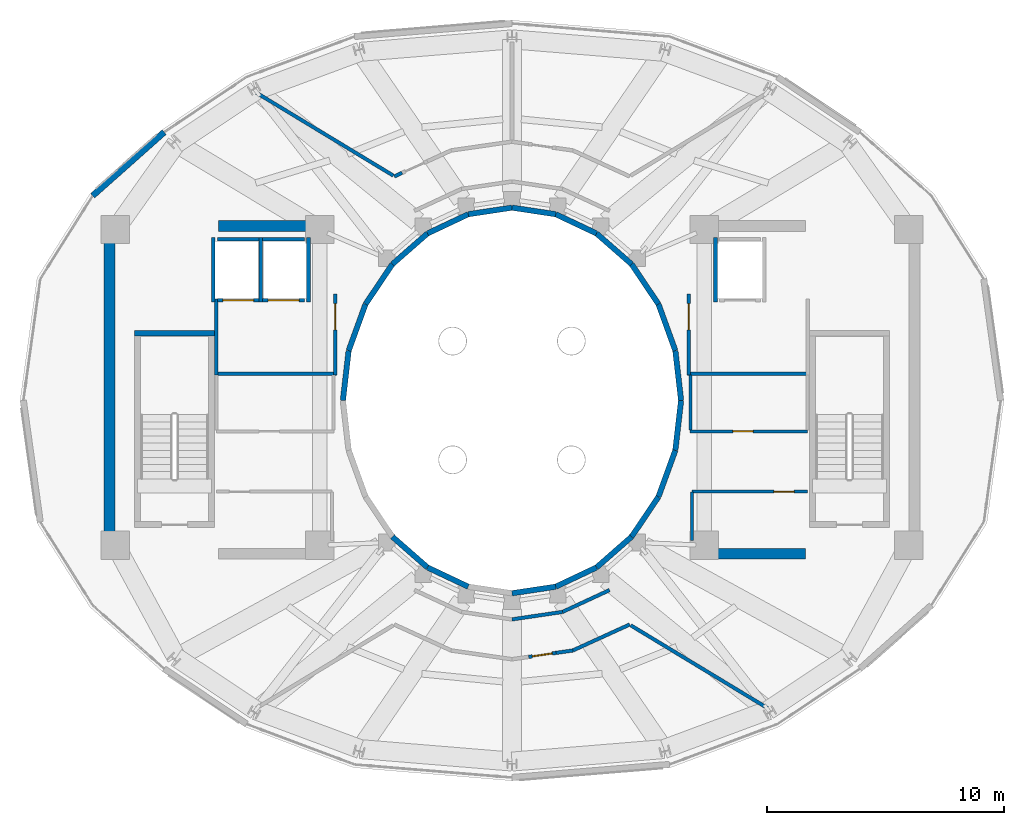
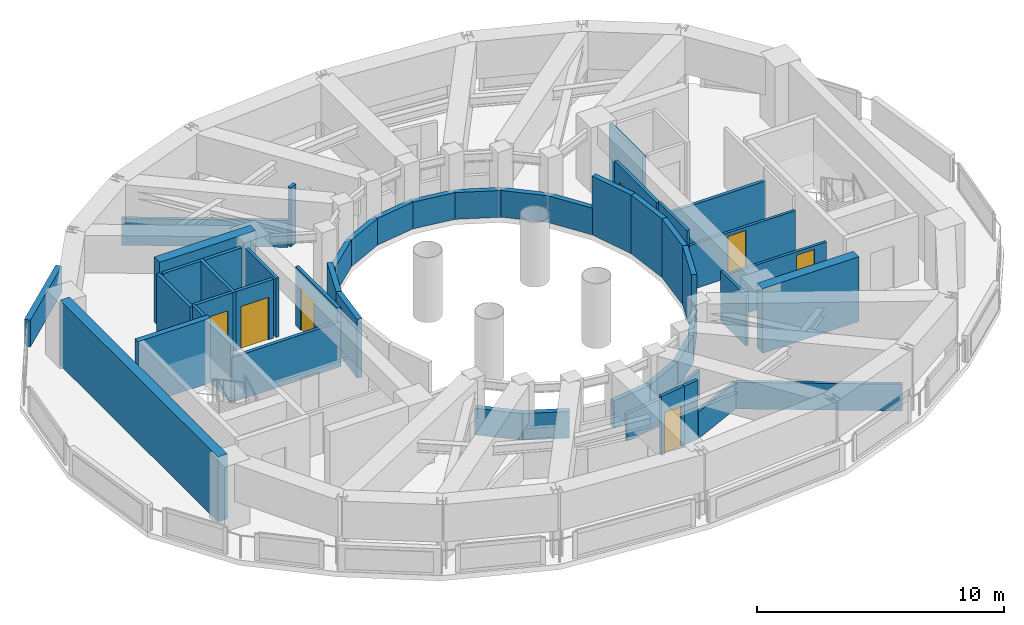
# One storey, part 14 of 18: 50 walls, 7 doors, 7 openings.
"""IFC4 building model written with IfcOpenShell, lengths in metres."""

from ifc_helpers import new_model, si_unit, direction, frame, frame_2d, origin, place, context, subcontext, project, spatial, rectangle, extrude, material, layer, layer_set, type_object, element, fill, save


model = new_model("IFC4")

# Units and contexts
model_context = context("Model", 3, precision=1e-05, world=origin(), true_north=direction((0.0, 1.0)))
body_context = subcontext(model_context, "Body", "Model", "MODEL_VIEW")
ifc_project = project(units=[si_unit("LENGTHUNIT", "METRE"), si_unit("AREAUNIT", "SQUARE_METRE"), si_unit("VOLUMEUNIT", "CUBIC_METRE"), si_unit("PLANEANGLEUNIT", "RADIAN"), si_unit("MASSUNIT", "GRAM", prefix="KILO")], contexts=[model_context])

# Site, building, storey
site_placement = place(None, origin())
site = spatial("IfcSite", under=ifc_project, at=site_placement, CompositionType="ELEMENT")
building_placement = place(site_placement, origin())
building = spatial("IfcBuilding", under=site, at=building_placement, Name="Solvane Sanctuary Tower", CompositionType="ELEMENT")
storey_placement = place(building_placement, frame((0.0, 0.0, 266.800048828125)))
storey = spatial("IfcBuildingStorey", under=building, at=storey_placement, Name="L81", CompositionType="ELEMENT", Elevation=266.800048828125)

# Walls
ifc_material_1 = material(Name="Concrete C50/60", Category="concrete")
ifc_layer_1 = layer(ifc_material_1, 0.449951171875, Name="Concrete C50/60")
ifc_layer_set_1 = layer_set([ifc_layer_1], Name="Concrete C50/60")
wall_type_1 = type_object("IfcWallType", Name="Wall W-CORE-450", PredefinedType="SHEAR", material=ifc_layer_set_1)
wall_1_placement = place(storey_placement, frame((15.050048828125, 17.050048828125, 0.0), z_axis=(0.0, 0.0, 1.0), x_axis=(0.0, 1.0, 0.0)))
element("IfcWall", 1, at=wall_1_placement, inside=storey, type_object=wall_type_1, Name="L81 Core Shear Wall WC-W", PredefinedType="SHEAR", context=body_context, shape_type="SweptSolid", body=[
    extrude(rectangle(XDim=12.800048828125, YDim=0.449951171875, at=frame_2d((6.39990234375, 0.0))), origin(), (0.0, 0.0, 1.0), 3.199951171875),
])
for number, where, z_axis, x_axis, name in (
    (2, (19.64990234375, 30.35009765625, 0.0), (0.0, 0.0, 1.0), (1.0, 0.0, 0.0), "L81 Core Shear Wall WC-N"),
    (3, (39.85009765625, 16.550048828125, 0.0), (0.0, 0.0, 1.0), (1.0, 0.0, 0.0), "L81 Core Shear Wall EC-S"),
):
    element("IfcWall", number, at=place(storey_placement, frame(where, z_axis=z_axis, x_axis=x_axis)), inside=storey, type_object=wall_type_1, Name=name, PredefinedType="SHEAR", context=body_context, shape_type="SweptSolid", body=[
        extrude(rectangle(XDim=4.5, YDim=0.449951171875, at=frame_2d((2.25, 0.0))), origin(), (0.0, 0.0, 1.0), 3.199951171875),
    ])
ifc_material_2 = material(Name="Acoustic Gypsum Partition Board")
ifc_layer_2 = layer(ifc_material_2, 0.14990234375, Name="Acoustic Gypsum Partition Board")
ifc_layer_set_2 = layer_set([ifc_layer_2], Name="Acoustic Gypsum Partition Board")
wall_type_2 = type_object("IfcWallType", Name="Wall W-CORR-150", PredefinedType="PARTITIONING", material=ifc_layer_set_2)
wall_2_placement = place(storey_placement, frame((19.52001953125, 24.1201171875, 0.0), z_axis=(0.0, 0.0, 1.0), x_axis=(1.0, 0.0, 0.0)))
element("IfcWall", 4, at=wall_2_placement, inside=storey, type_object=wall_type_2, Name="L81 West Firefighting Lobby South Wall", PredefinedType="PARTITIONING", context=body_context, shape_type="SweptSolid", body=[
    extrude(rectangle(XDim=5.080078125, YDim=0.14990234375, at=frame_2d((2.5400390625, 0.0))), origin(), (0.0, 0.0, 1.0), 2.219970703125),
])
wall_3_placement = place(storey_placement, frame((19.550048828125, 24.080078125, 0.0), z_axis=(0.0, 0.0, 1.0), x_axis=(0.0, 1.0, 0.0)))
element("IfcWall", 5, at=wall_3_placement, inside=storey, type_object=wall_type_2, Name="L81 West Firefighting Lobby West Wall", PredefinedType="PARTITIONING", context=body_context, shape_type="SweptSolid", body=[
    extrude(rectangle(XDim=3.199951171875, YDim=0.14990234375, at=frame_2d((1.60009765625, 0.0))), origin(), (0.0, 0.0, 1.0), 2.9150390625),
])

# Wall, opening, door
wall_4_placement = place(storey_placement, frame((24.550048828125, 24.080078125, 0.0), z_axis=(0.0, 0.0, 1.0), x_axis=(0.0, 1.0, 0.0)))
wall_4 = element("IfcWall", 6, at=wall_4_placement, inside=storey, type_object=wall_type_2, Name="L81 West Firefighting Lobby East Wall", PredefinedType="PARTITIONING", context=body_context, shape_type="SweptSolid", body=[
    extrude(rectangle(XDim=3.39990234375, YDim=0.14990234375, at=frame_2d((1.699951171875, 0.0))), origin(), (0.0, 0.0, 1.0), 2.9150390625),
])
opening_1_placement = place(wall_4_placement, frame((1.893798828125, 0.0, 0.0)))
opening_1 = element("IfcOpeningElement", 7, at=opening_1_placement, cuts=wall_4, Name="Opening D-L81-03", PredefinedType="OPENING", context=body_context, shape_type="SweptSolid", body=[
    extrude(rectangle(XDim=1.10009765625, YDim=2.10009765625, at=frame_2d((0.550048828125, 1.050048828125))), frame((0.0, 0.0849609375, 0.0), z_axis=(0.0, -1.0, 0.0), x_axis=(1.0, 0.0, 0.0)), (0.0, 0.0, 1.0), 0.169921875),
])
ifc_material_3 = material(Name="Architectural Stainless Steel 316", Category="steel")
door_type_1 = type_object("IfcDoorType", Name="Door D-FFL", OperationType="NOTDEFINED", PredefinedType="DOOR", material=ifc_material_3)
door_1_placement = place(opening_1_placement, origin())
door_1 = element("IfcDoor", 8, at=door_1_placement, inside=storey, type_object=door_type_1, Name="L81 West Firefighting Lobby Fire Door", OperationType="SINGLE_SWING_LEFT", OverallHeight=2.10009765625, OverallWidth=1.10009765625, PredefinedType="DOOR", context=body_context, shape_type="SweptSolid", body=[
    extrude(rectangle(XDim=1.10009765625, YDim=2.10009765625, at=frame_2d((0.550048828125, 1.050048828125))), frame((0.0, 0.02490234375, 0.0), z_axis=(0.0, -1.0, 0.0), x_axis=(1.0, 0.0, 0.0)), (0.0, 0.0, 1.0), 0.050048828125),
])
fill(opening_1, door_1)

# Wall
wall_5_placement = place(storey_placement, frame((39.39990234375, 24.1201171875, 0.0), z_axis=(0.0, 0.0, 1.0), x_axis=(1.0, 0.0, 0.0)))
element("IfcWall", 9, at=wall_5_placement, inside=storey, type_object=wall_type_2, Name="L81 East Firefighting Lobby South Wall", PredefinedType="PARTITIONING", context=body_context, shape_type="SweptSolid", body=[
    extrude(rectangle(XDim=5.080078125, YDim=0.14990234375, at=frame_2d((2.5400390625, 0.0))), origin(), (0.0, 0.0, 1.0), 2.219970703125),
])

# Wall, opening, door
wall_6_placement = place(storey_placement, frame((39.449951171875, 24.080078125, 0.0), z_axis=(0.0, 0.0, 1.0), x_axis=(0.0, 1.0, 0.0)))
wall_6 = element("IfcWall", 10, at=wall_6_placement, inside=storey, type_object=wall_type_2, Name="L81 East Firefighting Lobby West Wall", PredefinedType="PARTITIONING", context=body_context, shape_type="SweptSolid", body=[
    extrude(rectangle(XDim=3.39990234375, YDim=0.14990234375, at=frame_2d((1.699951171875, 0.0))), origin(), (0.0, 0.0, 1.0), 2.9150390625),
])
opening_2_placement = place(wall_6_placement, frame((1.893798828125, 0.0, 0.0)))
opening_2 = element("IfcOpeningElement", 11, at=opening_2_placement, cuts=wall_6, Name="Opening D-L81-04", PredefinedType="OPENING", context=body_context, shape_type="SweptSolid", body=[
    extrude(rectangle(XDim=1.10009765625, YDim=2.10009765625, at=frame_2d((0.550048828125, 1.050048828125))), frame((0.0, 0.0849609375, 0.0), z_axis=(0.0, -1.0, 0.0), x_axis=(1.0, 0.0, 0.0)), (0.0, 0.0, 1.0), 0.169921875),
])
door_2_placement = place(opening_2_placement, origin())
door_2 = element("IfcDoor", 12, at=door_2_placement, inside=storey, type_object=door_type_1, Name="L81 East Firefighting Lobby Fire Door", OperationType="SINGLE_SWING_RIGHT", OverallHeight=2.10009765625, OverallWidth=1.10009765625, PredefinedType="DOOR", context=body_context, shape_type="SweptSolid", body=[
    extrude(rectangle(XDim=1.10009765625, YDim=2.10009765625, at=frame_2d((0.550048828125, 1.050048828125))), frame((0.0, 0.02490234375, 0.0), z_axis=(0.0, -1.0, 0.0), x_axis=(1.0, 0.0, 0.0)), (0.0, 0.0, 1.0), 0.050048828125),
])
fill(opening_2, door_2)

# Walls
wall_7_placement = place(storey_placement, frame((32.0, 13.780029296875, 0.0), z_axis=(0.0, 0.0, 1.0), x_axis=(0.989268584896, 0.146108408166, 0.0)))
element("IfcWall", 13, at=wall_7_placement, inside=storey, type_object=wall_type_2, Name="L81 Light-Well Corridor Rim Wall S3", PredefinedType="PARTITIONING", context=body_context, shape_type="SweptSolid", body=[
    extrude(rectangle(XDim=2.150634765625, YDim=0.14990234375, at=frame_2d((1.0751953125, 0.0))), origin(), (0.0, 0.0, 1.0), 1.320068359375),
])
wall_8_placement = place(storey_placement, frame((34.12744140625, 14.09423828125, 0.0), z_axis=(0.0, 0.0, 1.0), x_axis=(0.906943449489, 0.421252393975, 0.0)))
element("IfcWall", 14, at=wall_8_placement, inside=storey, type_object=wall_type_2, Name="L81 Light-Well Corridor Rim Wall S4", PredefinedType="PARTITIONING", context=body_context, shape_type="SweptSolid", body=[
    extrude(rectangle(XDim=2.18603515625, YDim=0.14990234375, at=frame_2d((1.093017578125, 0.0))), origin(), (0.0, 0.0, 1.0), 1.320068359375),
])
for number, where, z_axis, x_axis, name in (
    (15, (27.0029296875, 32.46826171875, 0.0), (0.0, 0.0, 1.0), (-0.855519935897, 0.517769870969, 0.0), "L81 Mechanical Plant Radial Wall 120"),
    (16, (36.9970703125, 13.53173828125, 0.0), (0.0, 0.0, 1.0), (0.855519935897, -0.517769870969, 0.0), "L81 Mechanical Plant Radial Wall 300"),
):
    element("IfcWall", number, at=place(storey_placement, frame(where, z_axis=z_axis, x_axis=x_axis)), inside=storey, type_object=wall_type_2, Name=name, PredefinedType="PARTITIONING", context=body_context, shape_type="SweptSolid", body=[
        extrude(rectangle(XDim=6.736083984375, YDim=0.14990234375, at=frame_2d((3.3681640625, 0.0))), origin(), (0.0, 0.0, 1.0), 1.320068359375),
    ])
wall_9_placement = place(storey_placement, frame((27.37158203125, 32.58544921875, 0.0), z_axis=(0.0, 0.0, 1.0), x_axis=(-0.909598918169, -0.415487434305, 0.0)))
element("IfcWall", 17, at=wall_9_placement, inside=storey, type_object=wall_type_2, Name="L81 Plant Corridor Wall 2", PredefinedType="PARTITIONING", context=body_context, shape_type="SweptSolid", body=[
    extrude(rectangle(XDim=0.360107421875, YDim=0.14990234375, at=frame_2d((0.18017578125, 0.0))), origin(), (0.0, 0.0, 1.0), 2.9150390625),
])

# Wall, opening, door
wall_10_placement = place(storey_placement, frame((32.7021484375, 12.201904296875, 0.0), z_axis=(0.0, 0.0, 1.0), x_axis=(0.989642563126, 0.143553464776, 0.0)))
wall_10 = element("IfcWall", 18, at=wall_10_placement, inside=storey, type_object=wall_type_2, Name="L81 Plant Corridor Wall 3", PredefinedType="PARTITIONING", context=body_context, shape_type="SweptSolid", body=[
    extrude(rectangle(XDim=1.170166015625, YDim=0.14990234375, at=frame_2d((0.5849609375, 0.0))), origin(), (0.0, 0.0, 1.0), 2.9150390625),
])
opening_3_placement = place(wall_10_placement, frame((0.159912109375, 0.0, 0.0)))
opening_3 = element("IfcOpeningElement", 19, at=opening_3_placement, cuts=wall_10, Name="Opening D-L81-11", PredefinedType="OPENING", context=body_context, shape_type="SweptSolid", body=[
    extrude(rectangle(XDim=0.85009765625, YDim=2.050048828125, at=frame_2d((0.425048828125, 1.02490234375))), frame((0.0, 0.0849609375, 0.0), z_axis=(0.0, -1.0, 0.0), x_axis=(1.0, 0.0, 0.0)), (0.0, 0.0, 1.0), 0.169921875),
])
door_type_2 = type_object("IfcDoorType", Name="Door D-RISER", OperationType="NOTDEFINED", PredefinedType="DOOR", material=ifc_material_3)
door_3_placement = place(opening_3_placement, origin())
door_3 = element("IfcDoor", 20, at=door_3_placement, inside=storey, type_object=door_type_2, Name="L81 Plant Room Door 3", OperationType="SINGLE_SWING_LEFT", OverallHeight=2.050048828125, OverallWidth=0.85009765625, PredefinedType="DOOR", context=body_context, shape_type="SweptSolid", body=[
    extrude(rectangle(XDim=0.85009765625, YDim=2.050048828125, at=frame_2d((0.425048828125, 1.02490234375))), frame((0.0, 0.02490234375, 0.0), z_axis=(0.0, -1.0, 0.0), x_axis=(1.0, 0.0, 0.0)), (0.0, 0.0, 1.0), 0.050048828125),
])
fill(opening_3, door_3)

# Walls
wall_11_placement = place(storey_placement, frame((33.860107421875, 12.369873046875, 0.0), z_axis=(0.0, 0.0, 1.0), x_axis=(0.989652123174, 0.143487543353, 0.0)))
element("IfcWall", 21, at=wall_11_placement, inside=storey, type_object=wall_type_2, Name="L81 Plant Corridor Wall 3", PredefinedType="PARTITIONING", context=body_context, shape_type="SweptSolid", body=[
    extrude(rectangle(XDim=0.711181640625, YDim=0.14990234375, at=frame_2d((0.35546875, 0.0))), origin(), (0.0, 0.0, 1.0), 2.9150390625),
])
wall_12_placement = place(storey_placement, frame((34.560546875, 12.470947265625, 0.0), z_axis=(0.0, 0.0, 1.0), x_axis=(0.909736731002, 0.415185597373, 0.0)))
element("IfcWall", 22, at=wall_12_placement, inside=storey, type_object=wall_type_2, Name="L81 Plant Corridor Wall 3", PredefinedType="PARTITIONING", context=body_context, shape_type="SweptSolid", body=[
    extrude(rectangle(XDim=2.63330078125, YDim=0.14990234375, at=frame_2d((1.316650390625, 0.0))), origin(), (0.0, 0.0, 1.0), 1.320068359375),
])
ifc_material_4 = material(Name="Precast concrete C40/50", Category="concrete")
ifc_layer_3 = layer(ifc_material_4, 0.260009765625, Name="Precast concrete C40/50")
ifc_layer_set_3 = layer_set([ifc_layer_3], Name="Precast concrete C40/50")
wall_type_3 = type_object("IfcWallType", Name="Wall W-EXT-250", PredefinedType="STANDARD", material=ifc_layer_set_3)
wall_13_placement = place(storey_placement, frame((17.353271484375, 34.30029296875, 0.0), z_axis=(0.0, 0.0, 1.0), x_axis=(-0.747666410784, -0.664074497467, 0.0)))
element("IfcWall", 23, at=wall_13_placement, inside=storey, type_object=wall_type_3, Name="L81 Crown Acoustic Louvred Wall 09", PredefinedType="STANDARD", context=body_context, shape_type="SweptSolid", body=[
    extrude(rectangle(XDim=4.033447265625, YDim=0.260009765625, at=frame_2d((2.0166015625, 0.0))), origin(), (0.0, 0.0, 1.0), 1.320068359375),
])
ifc_layer_4 = layer(ifc_material_4, 0.22998046875, Name="Precast concrete C40/50")
ifc_layer_set_4 = layer_set([ifc_layer_4], Name="Precast concrete C40/50")
wall_type_4 = type_object("IfcWallType", Name="Wall W-EXT-SP220", PredefinedType="STANDARD", material=ifc_layer_set_4)
wall_14_placement = place(storey_placement, frame((39.1201171875, 23.0, 0.0), z_axis=(0.0, 0.0, 1.0), x_axis=(-0.114711713601, 0.993398823617, 0.0)))
element("IfcWall", 24, at=wall_14_placement, inside=storey, type_object=wall_type_4, Name="L81 Central Light-Well Wall 00", PredefinedType="STANDARD", context=body_context, shape_type="SweptSolid", body=[
    extrude(rectangle(XDim=2.115478515625, YDim=0.22998046875, at=frame_2d((1.0576171875, 0.0))), origin(), (0.0, 0.0, 1.0), 2.89990234375),
])
wall_15_placement = place(storey_placement, frame((38.87744140625, 25.1015625, 0.0), z_axis=(0.0, 0.0, 1.0), x_axis=(-0.341423187295, 0.93990968033, 0.0)))
element("IfcWall", 25, at=wall_15_placement, inside=storey, type_object=wall_type_4, Name="L81 Central Light-Well Wall 01", PredefinedType="STANDARD", context=body_context, shape_type="SweptSolid", body=[
    extrude(rectangle(XDim=2.083740234375, YDim=0.22998046875, at=frame_2d((1.0419921875, 0.0))), origin(), (0.0, 0.0, 1.0), 2.89990234375),
])
wall_16_placement = place(storey_placement, frame((38.166015625, 27.06005859375, 0.0), z_axis=(0.0, 0.0, 1.0), x_axis=(-0.558197800898, 0.829707909492, 0.0)))
element("IfcWall", 26, at=wall_16_placement, inside=storey, type_object=wall_type_4, Name="L81 Central Light-Well Wall 02", PredefinedType="STANDARD", context=body_context, shape_type="SweptSolid", body=[
    extrude(rectangle(XDim=2.02685546875, YDim=0.22998046875, at=frame_2d((1.013427734375, 0.0))), origin(), (0.0, 0.0, 1.0), 1.320068359375),
])
wall_17_placement = place(storey_placement, frame((37.03466796875, 28.74169921875, 0.0), z_axis=(0.0, 0.0, 1.0), x_axis=(-0.752576694707, 0.658504607869, 0.0)))
element("IfcWall", 27, at=wall_17_placement, inside=storey, type_object=wall_type_4, Name="L81 Central Light-Well Wall 03", PredefinedType="STANDARD", context=body_context, shape_type="SweptSolid", body=[
    extrude(rectangle(XDim=1.95947265625, YDim=0.22998046875, at=frame_2d((0.979736328125, 0.0))), origin(), (0.0, 0.0, 1.0), 1.320068359375),
])
wall_18_placement = place(storey_placement, frame((35.56005859375, 30.031982421875, 0.0), z_axis=(0.0, 0.0, 1.0), x_axis=(-0.904179699603, 0.427152280606, 0.0)))
element("IfcWall", 28, at=wall_18_placement, inside=storey, type_object=wall_type_4, Name="L81 Central Light-Well Wall 04", PredefinedType="STANDARD", context=body_context, shape_type="SweptSolid", body=[
    extrude(rectangle(XDim=1.899169921875, YDim=0.22998046875, at=frame_2d((0.94970703125, 0.0))), origin(), (0.0, 0.0, 1.0), 1.320068359375),
])
for number, where, z_axis, x_axis, name in (
    (29, (33.8427734375, 30.84326171875, 0.0), (0.0, 0.0, 1.0), (-0.988901730308, 0.148571086668, 0.0), "L81 Central Light-Well Wall 05"),
    (30, (32.0, 31.1201171875, 0.0), (0.0, 0.0, 1.0), (-0.988901730308, -0.148571086668, 0.0), "L81 Central Light-Well Wall 06"),
):
    element("IfcWall", number, at=place(storey_placement, frame(where, z_axis=z_axis, x_axis=x_axis)), inside=storey, type_object=wall_type_4, Name=name, PredefinedType="STANDARD", context=body_context, shape_type="SweptSolid", body=[
        extrude(rectangle(XDim=1.863525390625, YDim=0.22998046875, at=frame_2d((0.931640625, 0.0))), origin(), (0.0, 0.0, 1.0), 1.320068359375),
    ])
wall_19_placement = place(storey_placement, frame((30.1572265625, 30.84326171875, 0.0), z_axis=(0.0, 0.0, 1.0), x_axis=(-0.904179699603, -0.427152280606, 0.0)))
element("IfcWall", 31, at=wall_19_placement, inside=storey, type_object=wall_type_4, Name="L81 Central Light-Well Wall 07", PredefinedType="STANDARD", context=body_context, shape_type="SweptSolid", body=[
    extrude(rectangle(XDim=1.899169921875, YDim=0.22998046875, at=frame_2d((0.94970703125, 0.0))), origin(), (0.0, 0.0, 1.0), 1.320068359375),
])
wall_20_placement = place(storey_placement, frame((28.43994140625, 30.031982421875, 0.0), z_axis=(0.0, 0.0, 1.0), x_axis=(-0.752576694707, -0.658504607869, 0.0)))
element("IfcWall", 32, at=wall_20_placement, inside=storey, type_object=wall_type_4, Name="L81 Central Light-Well Wall 08", PredefinedType="STANDARD", context=body_context, shape_type="SweptSolid", body=[
    extrude(rectangle(XDim=1.95947265625, YDim=0.22998046875, at=frame_2d((0.979736328125, 0.0))), origin(), (0.0, 0.0, 1.0), 1.320068359375),
])
wall_21_placement = place(storey_placement, frame((26.96533203125, 28.74169921875, 0.0), z_axis=(0.0, 0.0, 1.0), x_axis=(-0.558197800898, -0.829707909492, 0.0)))
element("IfcWall", 33, at=wall_21_placement, inside=storey, type_object=wall_type_4, Name="L81 Central Light-Well Wall 09", PredefinedType="STANDARD", context=body_context, shape_type="SweptSolid", body=[
    extrude(rectangle(XDim=2.02685546875, YDim=0.22998046875, at=frame_2d((1.013427734375, 0.0))), origin(), (0.0, 0.0, 1.0), 1.320068359375),
])
wall_22_placement = place(storey_placement, frame((25.833984375, 27.06005859375, 0.0), z_axis=(0.0, 0.0, 1.0), x_axis=(-0.341423187295, -0.93990968033, 0.0)))
element("IfcWall", 34, at=wall_22_placement, inside=storey, type_object=wall_type_4, Name="L81 Central Light-Well Wall 10", PredefinedType="STANDARD", context=body_context, shape_type="SweptSolid", body=[
    extrude(rectangle(XDim=2.083740234375, YDim=0.22998046875, at=frame_2d((1.0419921875, 0.0))), origin(), (0.0, 0.0, 1.0), 2.89990234375),
])
wall_23_placement = place(storey_placement, frame((25.12255859375, 25.1015625, 0.0), z_axis=(0.0, 0.0, 1.0), x_axis=(-0.114711713601, -0.993398823617, 0.0)))
element("IfcWall", 35, at=wall_23_placement, inside=storey, type_object=wall_type_4, Name="L81 Central Light-Well Wall 11", PredefinedType="STANDARD", context=body_context, shape_type="SweptSolid", body=[
    extrude(rectangle(XDim=2.115478515625, YDim=0.22998046875, at=frame_2d((1.0576171875, 0.0))), origin(), (0.0, 0.0, 1.0), 2.89990234375),
])
wall_24_placement = place(storey_placement, frame((26.96533203125, 17.25830078125, 0.0), z_axis=(0.0, 0.0, 1.0), x_axis=(0.752576694707, -0.658504607869, 0.0)))
element("IfcWall", 36, at=wall_24_placement, inside=storey, type_object=wall_type_4, Name="L81 Central Light-Well Wall 15", PredefinedType="STANDARD", context=body_context, shape_type="SweptSolid", body=[
    extrude(rectangle(XDim=1.95947265625, YDim=0.22998046875, at=frame_2d((0.979736328125, 0.0))), origin(), (0.0, 0.0, 1.0), 1.320068359375),
])
wall_25_placement = place(storey_placement, frame((28.43994140625, 15.968017578125, 0.0), z_axis=(0.0, 0.0, 1.0), x_axis=(0.904179699603, -0.427152280606, 0.0)))
element("IfcWall", 37, at=wall_25_placement, inside=storey, type_object=wall_type_4, Name="L81 Central Light-Well Wall 16", PredefinedType="STANDARD", context=body_context, shape_type="SweptSolid", body=[
    extrude(rectangle(XDim=1.899169921875, YDim=0.22998046875, at=frame_2d((0.94970703125, 0.0))), origin(), (0.0, 0.0, 1.0), 1.320068359375),
])
wall_26_placement = place(storey_placement, frame((32.0, 14.8798828125, 0.0), z_axis=(0.0, 0.0, 1.0), x_axis=(0.988901730308, 0.148571086668, 0.0)))
element("IfcWall", 38, at=wall_26_placement, inside=storey, type_object=wall_type_4, Name="L81 Central Light-Well Wall 18", PredefinedType="STANDARD", context=body_context, shape_type="SweptSolid", body=[
    extrude(rectangle(XDim=1.863525390625, YDim=0.22998046875, at=frame_2d((0.931640625, 0.0))), origin(), (0.0, 0.0, 1.0), 1.320068359375),
])
wall_27_placement = place(storey_placement, frame((33.8427734375, 15.15673828125, 0.0), z_axis=(0.0, 0.0, 1.0), x_axis=(0.904179699603, 0.427152280606, 0.0)))
element("IfcWall", 39, at=wall_27_placement, inside=storey, type_object=wall_type_4, Name="L81 Central Light-Well Wall 19", PredefinedType="STANDARD", context=body_context, shape_type="SweptSolid", body=[
    extrude(rectangle(XDim=1.899169921875, YDim=0.22998046875, at=frame_2d((0.94970703125, 0.0))), origin(), (0.0, 0.0, 1.0), 1.320068359375),
])
wall_28_placement = place(storey_placement, frame((35.56005859375, 15.968017578125, 0.0), z_axis=(0.0, 0.0, 1.0), x_axis=(0.752576694707, 0.658504607869, 0.0)))
element("IfcWall", 40, at=wall_28_placement, inside=storey, type_object=wall_type_4, Name="L81 Central Light-Well Wall 20", PredefinedType="STANDARD", context=body_context, shape_type="SweptSolid", body=[
    extrude(rectangle(XDim=1.95947265625, YDim=0.22998046875, at=frame_2d((0.979736328125, 0.0))), origin(), (0.0, 0.0, 1.0), 1.320068359375),
])
wall_29_placement = place(storey_placement, frame((37.03466796875, 17.25830078125, 0.0), z_axis=(0.0, 0.0, 1.0), x_axis=(0.558197800898, 0.829707909492, 0.0)))
element("IfcWall", 41, at=wall_29_placement, inside=storey, type_object=wall_type_4, Name="L81 Central Light-Well Wall 21", PredefinedType="STANDARD", context=body_context, shape_type="SweptSolid", body=[
    extrude(rectangle(XDim=2.02685546875, YDim=0.22998046875, at=frame_2d((1.013427734375, 0.0))), origin(), (0.0, 0.0, 1.0), 1.320068359375),
])
wall_30_placement = place(storey_placement, frame((38.166015625, 18.93994140625, 0.0), z_axis=(0.0, 0.0, 1.0), x_axis=(0.341423187295, 0.93990968033, 0.0)))
element("IfcWall", 42, at=wall_30_placement, inside=storey, type_object=wall_type_4, Name="L81 Central Light-Well Wall 22", PredefinedType="STANDARD", context=body_context, shape_type="SweptSolid", body=[
    extrude(rectangle(XDim=2.083740234375, YDim=0.22998046875, at=frame_2d((1.0419921875, 0.0))), origin(), (0.0, 0.0, 1.0), 2.89990234375),
])
wall_31_placement = place(storey_placement, frame((38.87744140625, 20.8984375, 0.0), z_axis=(0.0, 0.0, 1.0), x_axis=(0.114711713601, 0.993398823617, 0.0)))
element("IfcWall", 43, at=wall_31_placement, inside=storey, type_object=wall_type_4, Name="L81 Central Light-Well Wall 23", PredefinedType="STANDARD", context=body_context, shape_type="SweptSolid", body=[
    extrude(rectangle(XDim=2.115478515625, YDim=0.22998046875, at=frame_2d((1.0576171875, 0.0))), origin(), (0.0, 0.0, 1.0), 2.89990234375),
])

# Wall, opening, door
ifc_layer_5 = layer(ifc_material_2, 0.125, Name="Acoustic Gypsum Partition Board")
ifc_layer_set_5 = layer_set([ifc_layer_5], Name="Acoustic Gypsum Partition Board")
wall_type_5 = type_object("IfcWallType", Name="Wall W-PART-125", PredefinedType="PARTITIONING", material=ifc_layer_set_5)
wall_32_placement = place(storey_placement, frame((39.580078125, 19.159912109375, 0.0), z_axis=(0.0, 0.0, 1.0), x_axis=(1.0, 0.0, 0.0)))
wall_32 = element("IfcWall", 44, at=wall_32_placement, inside=storey, type_object=wall_type_5, Name="L81 Reclaimed Room Partition PLE", PredefinedType="PARTITIONING", context=body_context, shape_type="SweptSolid", body=[
    extrude(rectangle(XDim=4.869873046875, YDim=0.125, at=frame_2d((2.43505859375, 0.0))), origin(), (0.0, 0.0, 1.0), 2.219970703125),
])
opening_4_placement = place(wall_32_placement, frame((3.449951171875, 0.0, 0.0)))
opening_4 = element("IfcOpeningElement", 45, at=opening_4_placement, cuts=wall_32, Name="Opening D-L81-06", PredefinedType="OPENING", context=body_context, shape_type="SweptSolid", body=[
    extrude(rectangle(XDim=0.85009765625, YDim=2.050048828125, at=frame_2d((0.425048828125, 1.02490234375))), frame((0.0, 0.072509765625, 0.0), z_axis=(0.0, -1.0, 0.0), x_axis=(1.0, 0.0, 0.0)), (0.0, 0.0, 1.0), 0.14501953125),
])
door_4_placement = place(opening_4_placement, origin())
door_4 = element("IfcDoor", 46, at=door_4_placement, inside=storey, type_object=door_type_2, Name="L81 Reclaimed Room Door PLE-1", OperationType="SINGLE_SWING_RIGHT", OverallHeight=2.050048828125, OverallWidth=0.85009765625, PredefinedType="DOOR", context=body_context, shape_type="SweptSolid", body=[
    extrude(rectangle(XDim=0.85009765625, YDim=2.050048828125, at=frame_2d((0.425048828125, 1.02490234375))), frame((0.0, 0.02490234375, 0.0), z_axis=(0.0, -1.0, 0.0), x_axis=(1.0, 0.0, 0.0)), (0.0, 0.0, 1.0), 0.050048828125),
])
fill(opening_4, door_4)

# Wall
wall_33_placement = place(storey_placement, frame((39.580078125, 17.10009765625, 0.0), z_axis=(0.0, 0.0, 1.0), x_axis=(0.0, 1.0, 0.0)))
element("IfcWall", 47, at=wall_33_placement, inside=storey, type_object=wall_type_5, Name="L81 Reclaimed Room Closer Wall PLE-1", PredefinedType="PARTITIONING", context=body_context, shape_type="SweptSolid", body=[
    extrude(rectangle(XDim=2.039794921875, YDim=0.125, at=frame_2d((1.02001953125, 0.0))), origin(), (0.0, 0.0, 1.0), 2.490966796875),
])

# Wall, opening, door
wall_34_placement = place(storey_placement, frame((39.5, 21.699951171875, 0.0), z_axis=(0.0, 0.0, 1.0), x_axis=(1.0, 0.0, 0.0)))
wall_34 = element("IfcWall", 48, at=wall_34_placement, inside=storey, type_object=wall_type_5, Name="L81 Reclaimed Room Partition PME", PredefinedType="PARTITIONING", context=body_context, shape_type="SweptSolid", body=[
    extrude(rectangle(XDim=4.949951171875, YDim=0.125, at=frame_2d((2.47509765625, 0.0))), origin(), (0.0, 0.0, 1.0), 2.219970703125),
])
opening_5_placement = place(wall_34_placement, frame((1.800048828125, 0.0, 0.0)))
opening_5 = element("IfcOpeningElement", 49, at=opening_5_placement, cuts=wall_34, Name="Opening D-L81-08", PredefinedType="OPENING", context=body_context, shape_type="SweptSolid", body=[
    extrude(rectangle(XDim=0.85009765625, YDim=2.050048828125, at=frame_2d((0.425048828125, 1.02490234375))), frame((0.0, 0.072509765625, 0.0), z_axis=(0.0, -1.0, 0.0), x_axis=(1.0, 0.0, 0.0)), (0.0, 0.0, 1.0), 0.14501953125),
])
door_5_placement = place(opening_5_placement, origin())
door_5 = element("IfcDoor", 50, at=door_5_placement, inside=storey, type_object=door_type_2, Name="L81 Reclaimed Room Door PME-1", OperationType="SINGLE_SWING_RIGHT", OverallHeight=2.050048828125, OverallWidth=0.85009765625, PredefinedType="DOOR", context=body_context, shape_type="SweptSolid", body=[
    extrude(rectangle(XDim=0.85009765625, YDim=2.050048828125, at=frame_2d((0.425048828125, 1.02490234375))), frame((0.0, 0.02490234375, 0.0), z_axis=(0.0, -1.0, 0.0), x_axis=(1.0, 0.0, 0.0)), (0.0, 0.0, 1.0), 0.050048828125),
])
fill(opening_5, door_5)

# Wall
wall_35_placement = place(storey_placement, frame((39.52001953125, 21.760009765625, 0.0), z_axis=(0.0, 0.0, 1.0), x_axis=(0.0, 1.0, 0.0)))
element("IfcWall", 51, at=wall_35_placement, inside=storey, type_object=wall_type_5, Name="L81 Reclaimed Room Closer Wall PME-1", PredefinedType="PARTITIONING", context=body_context, shape_type="SweptSolid", body=[
    extrude(rectangle(XDim=2.320068359375, YDim=0.125, at=frame_2d((1.16015625, 0.0))), origin(), (0.0, 0.0, 1.0), 2.9150390625),
])

# Wall, opening, door
ifc_layer_6 = layer(ifc_material_1, 0.14990234375, Name="Concrete C50/60")
ifc_layer_set_6 = layer_set([ifc_layer_6], Name="Concrete C50/60")
wall_type_6 = type_object("IfcWallType", Name="Wall W-SHAFT-150", PredefinedType="SOLIDWALL", material=ifc_layer_set_6)
wall_36_placement = place(storey_placement, frame((19.590087890625, 27.219970703125, 0.0), z_axis=(0.0, 0.0, 1.0), x_axis=(1.0, 0.0, 0.0)))
wall_36 = element("IfcWall", 52, at=wall_36_placement, inside=storey, type_object=wall_type_6, Name="L81 FFL-1 Lift Shaft Wall F", PredefinedType="SOLIDWALL", context=body_context, shape_type="SweptSolid", body=[
    extrude(rectangle(XDim=1.760009765625, YDim=0.14990234375, at=frame_2d((0.8798828125, 0.0))), origin(), (0.0, 0.0, 1.0), 2.9150390625),
])
opening_6_placement = place(wall_36_placement, frame((0.22998046875, 0.0, 0.0)))
opening_6 = element("IfcOpeningElement", 53, at=opening_6_placement, cuts=wall_36, Name="Opening LD-L81-01", PredefinedType="OPENING", context=body_context, shape_type="SweptSolid", body=[
    extrude(rectangle(XDim=1.300048828125, YDim=2.10009765625, at=frame_2d((0.64990234375, 1.050048828125))), frame((0.0, 0.0849609375, 0.0), z_axis=(0.0, -1.0, 0.0), x_axis=(1.0, 0.0, 0.0)), (0.0, 0.0, 1.0), 0.169921875),
])
door_type_3 = type_object("IfcDoorType", Name="Door LD-FFL-1300", OperationType="NOTDEFINED", PredefinedType="DOOR", material=ifc_material_3)
door_6_placement = place(opening_6_placement, origin())
door_6 = element("IfcDoor", 54, at=door_6_placement, inside=storey, type_object=door_type_3, Name="L81 FFL-1 Lift Landing Door", OperationType="DOUBLE_DOOR_SLIDING", OverallHeight=2.10009765625, OverallWidth=1.300048828125, PredefinedType="DOOR", context=body_context, shape_type="SweptSolid", body=[
    extrude(rectangle(XDim=1.300048828125, YDim=2.10009765625, at=frame_2d((0.64990234375, 1.050048828125))), frame((0.0, 0.02490234375, 0.0), z_axis=(0.0, -1.0, 0.0), x_axis=(1.0, 0.0, 0.0)), (0.0, 0.0, 1.0), 0.050048828125),
])
fill(opening_6, door_6)

# Walls
wall_37_placement = place(storey_placement, frame((19.590087890625, 29.780029296875, 0.0), z_axis=(0.0, 0.0, 1.0), x_axis=(1.0, 0.0, 0.0)))
element("IfcWall", 55, at=wall_37_placement, inside=storey, type_object=wall_type_6, Name="L81 FFL-1 Lift Shaft Wall B", PredefinedType="SOLIDWALL", context=body_context, shape_type="SweptSolid", body=[
    extrude(rectangle(XDim=1.760009765625, YDim=0.14990234375, at=frame_2d((0.8798828125, 0.0))), origin(), (0.0, 0.0, 1.0), 2.9150390625),
])
for number, where, z_axis, x_axis, name in (
    (56, (19.419921875, 27.139892578125, 0.0), (0.0, 0.0, 1.0), (0.0, 1.0, 0.0), "L81 FFL-1 Lift Shaft Wall S1"),
    (57, (21.425048828125, 27.139892578125, 0.0), (0.0, 0.0, 1.0), (0.0, 1.0, 0.0), "L81 FFL-1 Lift Shaft Wall S2"),
):
    element("IfcWall", number, at=place(storey_placement, frame(where, z_axis=z_axis, x_axis=x_axis)), inside=storey, type_object=wall_type_6, Name=name, PredefinedType="SOLIDWALL", context=body_context, shape_type="SweptSolid", body=[
        extrude(rectangle(XDim=2.72021484375, YDim=0.14990234375, at=frame_2d((1.360107421875, 0.0))), origin(), (0.0, 0.0, 1.0), 2.9150390625),
    ])

# Wall, opening, door
wall_38_placement = place(storey_placement, frame((21.5, 27.219970703125, 0.0), z_axis=(0.0, 0.0, 1.0), x_axis=(1.0, 0.0, 0.0)))
wall_38 = element("IfcWall", 58, at=wall_38_placement, inside=storey, type_object=wall_type_6, Name="L81 SVL-1 Lift Shaft Wall F", PredefinedType="SOLIDWALL", context=body_context, shape_type="SweptSolid", body=[
    extrude(rectangle(XDim=1.760009765625, YDim=0.14990234375, at=frame_2d((0.8798828125, 0.0))), origin(), (0.0, 0.0, 1.0), 2.9150390625),
])
opening_7_placement = place(wall_38_placement, frame((0.22998046875, 0.0, 0.0)))
opening_7 = element("IfcOpeningElement", 59, at=opening_7_placement, cuts=wall_38, Name="Opening LD-L81-02", PredefinedType="OPENING", context=body_context, shape_type="SweptSolid", body=[
    extrude(rectangle(XDim=1.300048828125, YDim=2.10009765625, at=frame_2d((0.64990234375, 1.050048828125))), frame((0.0, 0.0849609375, 0.0), z_axis=(0.0, -1.0, 0.0), x_axis=(1.0, 0.0, 0.0)), (0.0, 0.0, 1.0), 0.169921875),
])
door_7_placement = place(opening_7_placement, origin())
door_7 = element("IfcDoor", 60, at=door_7_placement, inside=storey, type_object=door_type_3, Name="L81 SVL-1 Lift Landing Door", OperationType="DOUBLE_DOOR_SLIDING", OverallHeight=2.10009765625, OverallWidth=1.300048828125, PredefinedType="DOOR", context=body_context, shape_type="SweptSolid", body=[
    extrude(rectangle(XDim=1.300048828125, YDim=2.10009765625, at=frame_2d((0.64990234375, 1.050048828125))), frame((0.0, 0.02490234375, 0.0), z_axis=(0.0, -1.0, 0.0), x_axis=(1.0, 0.0, 0.0)), (0.0, 0.0, 1.0), 0.050048828125),
])
fill(opening_7, door_7)

# Walls
wall_39_placement = place(storey_placement, frame((21.5, 29.780029296875, 0.0), z_axis=(0.0, 0.0, 1.0), x_axis=(1.0, 0.0, 0.0)))
element("IfcWall", 61, at=wall_39_placement, inside=storey, type_object=wall_type_6, Name="L81 SVL-1 Lift Shaft Wall B", PredefinedType="SOLIDWALL", context=body_context, shape_type="SweptSolid", body=[
    extrude(rectangle(XDim=1.760009765625, YDim=0.14990234375, at=frame_2d((0.8798828125, 0.0))), origin(), (0.0, 0.0, 1.0), 2.9150390625),
])
for number, where, z_axis, x_axis, name in (
    (62, (23.429931640625, 27.139892578125, 0.0), (0.0, 0.0, 1.0), (0.0, 1.0, 0.0), "L81 SVL-1 Lift Shaft Wall S2"),
    (63, (40.570068359375, 27.139892578125, 0.0), (0.0, 0.0, 1.0), (0.0, 1.0, 0.0), "L81 FFL-2 Lift Shaft Wall S1"),
):
    element("IfcWall", number, at=place(storey_placement, frame(where, z_axis=z_axis, x_axis=x_axis)), inside=storey, type_object=wall_type_6, Name=name, PredefinedType="SOLIDWALL", context=body_context, shape_type="SweptSolid", body=[
        extrude(rectangle(XDim=2.72021484375, YDim=0.14990234375, at=frame_2d((1.360107421875, 0.0))), origin(), (0.0, 0.0, 1.0), 2.9150390625),
    ])
ifc_layer_7 = layer(ifc_material_1, 0.25, Name="Concrete C50/60")
ifc_layer_set_7 = layer_set([ifc_layer_7], Name="Concrete C50/60")
wall_type_7 = type_object("IfcWallType", Name="Wall W-SHAFT-250", PredefinedType="SOLIDWALL", material=ifc_layer_set_7)
wall_40_placement = place(storey_placement, frame((16.10498046875, 25.830078125, 0.0), z_axis=(0.0, 0.0, 1.0), x_axis=(1.0, 0.0, 0.0)))
element("IfcWall", 64, at=wall_40_placement, inside=storey, type_object=wall_type_7, Name="L81 ST-1 Load-Bearing Shaft Wall N", PredefinedType="SOLIDWALL", context=body_context, shape_type="SweptSolid", body=[
    extrude(rectangle(XDim=3.3701171875, YDim=0.25, at=frame_2d((1.68505859375, 0.0))), origin(), (0.0, 0.0, 1.0), 3.199951171875),
])

save(model, "model.ifc")
